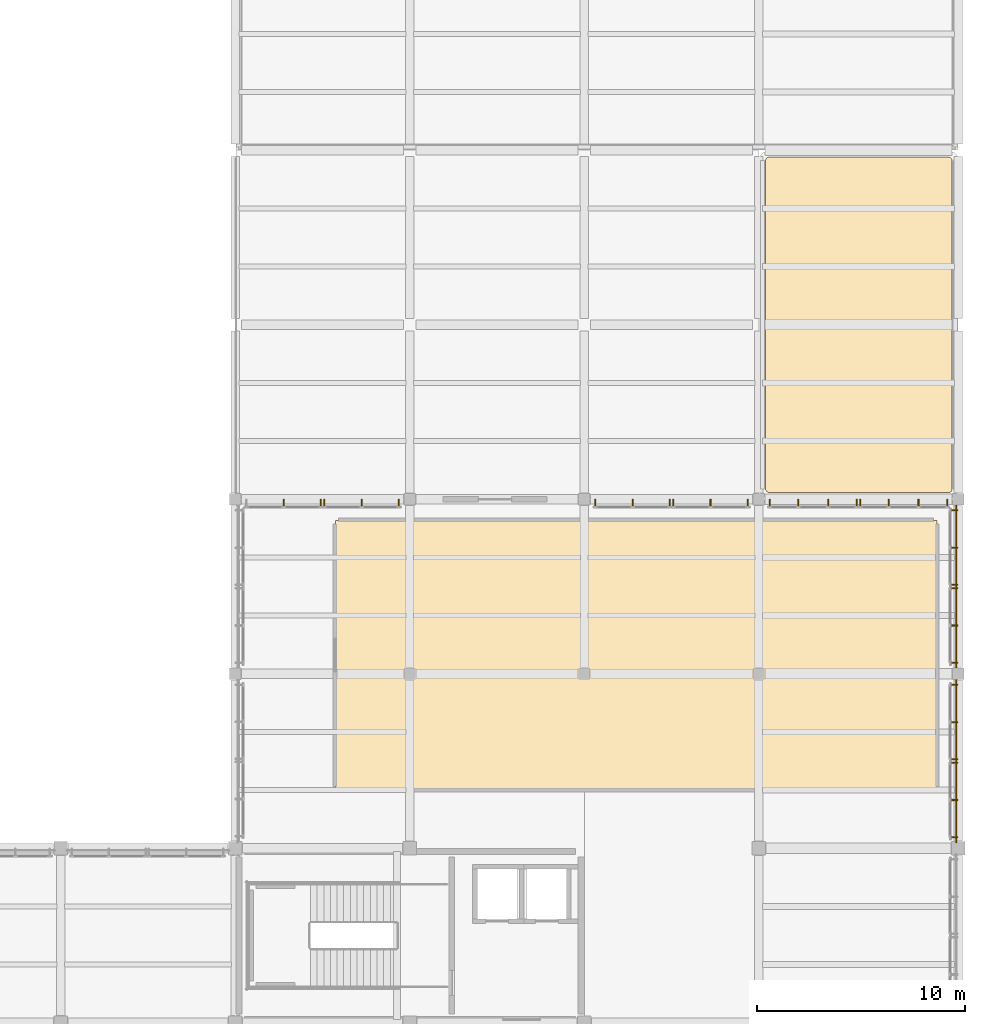
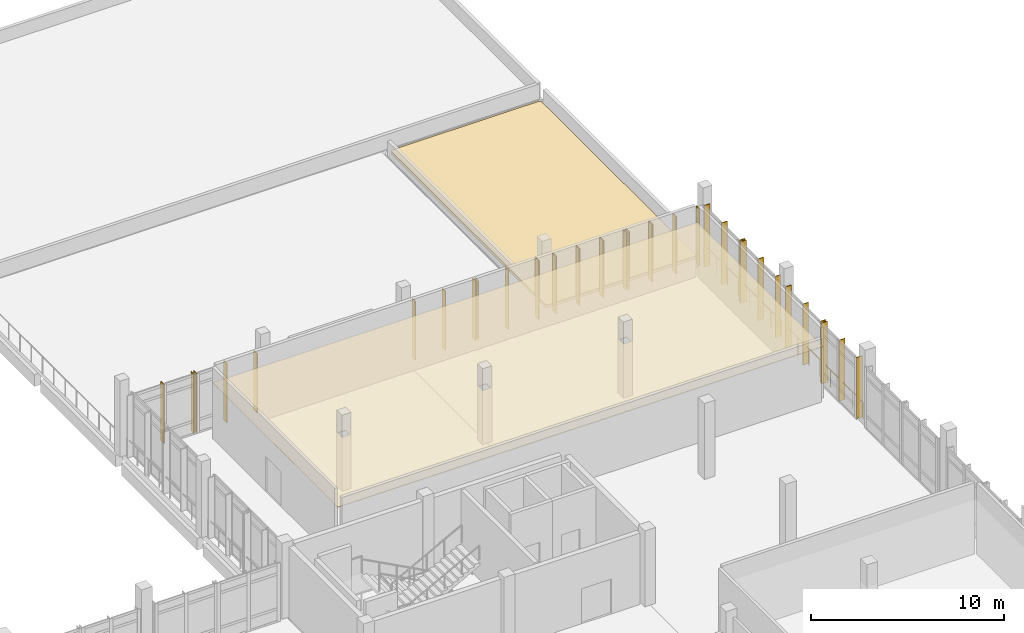
# One storey, part 62 of 63: 31 shading devices, 2 coverings, 2 railings.
"""IFC4 building model written with IfcOpenShell, lengths in metres."""

from ifc_helpers import new_model, si_unit, derived_unit, direction, frame, origin, origin_2d, place, context, subcontext, project, spatial, polyline, rectangle, circle, outline, extrude, material, layer, layer_set, type_object, element, save


model = new_model("IFC4")

# Units and contexts
model_context = context("Model", 3, precision=1e-05, world=origin(), true_north=direction((0.0, 1.0)))
body_context = subcontext(model_context, "Body", "Model", "MODEL_VIEW")
ifc_project = project(units=[si_unit("LENGTHUNIT", "METRE"), si_unit("AREAUNIT", "SQUARE_METRE"), si_unit("VOLUMEUNIT", "CUBIC_METRE"), si_unit("PLANEANGLEUNIT", "RADIAN"), si_unit("MASSUNIT", "GRAM", prefix="KILO"), derived_unit("THERMALTRANSMITTANCEUNIT", [(si_unit("POWERUNIT", "WATT"), 1), (si_unit("LENGTHUNIT", "METRE"), -2), (si_unit("THERMODYNAMICTEMPERATUREUNIT", "KELVIN"), -1)])], contexts=[model_context])

# Site, building, storey
site_placement = place(None, origin())
site = spatial("IfcSite", under=ifc_project, at=site_placement, CompositionType="ELEMENT")
building_placement = place(site_placement, origin())
building = spatial("IfcBuilding", under=site, at=building_placement, Name="Elbkamm Science Centre", CompositionType="ELEMENT")
storey_placement = place(building_placement, frame((0.0, 0.0, 5.10009765625)))
storey = spatial("IfcBuildingStorey", under=building, at=storey_placement, Name="L01", CompositionType="ELEMENT", Elevation=5.10009765625)

# Coverings
ifc_material_1 = material(Name="Perforated acoustic mineral fibre ceiling tile")
ifc_layer_1 = layer(ifc_material_1, 0.0400390625)
ifc_layer_set_1 = layer_set([ifc_layer_1], Name="Perforated acoustic mineral fibre ceiling tile")
covering_type_1 = type_object("IfcCoveringType", Name="COV-CEIL-ACOUSTIC-40", PredefinedType="CEILING", material=ifc_layer_set_1)
covering_1_placement = place(storey_placement, frame((0.0, 0.0, 3.349853515625)))
element("IfcCovering", 1, at=covering_1_placement, inside=storey, type_object=covering_type_1, Name="L01 Marine Biology Teaching Laboratory Acoustic Ceiling", PredefinedType="CEILING", context=body_context, shape_type="SweptSolid", body=[
    extrude(outline(polyline([(159.780029296875, 61.6201171875), (130.820068359375, 61.6201171875), (130.820068359375, 74.580078125), (159.780029296875, 74.580078125), (159.780029296875, 61.6201171875)]), holes=[polyline([(134.6201171875, 67.419921875), (134.179931640625, 67.419921875), (134.179931640625, 66.97998046875), (134.6201171875, 66.97998046875), (134.6201171875, 67.419921875)]), polyline([(143.02001953125, 66.97998046875), (143.02001953125, 67.419921875), (142.580078125, 67.419921875), (142.580078125, 66.97998046875), (143.02001953125, 66.97998046875)]), polyline([(151.419921875, 67.419921875), (150.97998046875, 67.419921875), (150.97998046875, 66.97998046875), (151.419921875, 66.97998046875), (151.419921875, 67.419921875)])]), origin(), (0.0, 0.0, 1.0), 0.0400390625),
])
ifc_material_2 = material(Name="EPDM waterproof roofing membrane and mineral wool insulation")
ifc_layer_2 = layer(ifc_material_2, 0.179931640625)
ifc_layer_set_2 = layer_set([ifc_layer_2], Name="EPDM waterproof roofing membrane and mineral wool insulation")
covering_type_2 = type_object("IfcCoveringType", Name="COV-ROOFING-180", PredefinedType="ROOFING", material=ifc_layer_set_2)
covering_2_placement = place(storey_placement, origin())
element("IfcCovering", 2, at=covering_2_placement, inside=storey, type_object=covering_type_2, Name="L01 Insulated Roof Membrane Covering 06", PredefinedType="ROOFING", context=body_context, shape_type="SweptSolid", body=[
    extrude(outline(polyline([(151.65087890625, 75.93310546875), (151.636962890625, 75.936767578125), (151.62255859375, 75.94189453125), (151.609375, 75.947998046875), (151.5966796875, 75.95556640625), (151.585205078125, 75.964111328125), (151.57421875, 75.97412109375), (151.564208984375, 75.985107421875), (151.5556640625, 75.996826171875), (151.548095703125, 76.00927734375), (151.5419921875, 76.022705078125), (151.53662109375, 76.036865234375), (151.533203125, 76.05078125), (151.531005859375, 76.065185546875), (151.530029296875, 76.08740234375), (151.530029296875, 91.91259765625), (151.531005859375, 91.934814453125), (151.533203125, 91.94921875), (151.53662109375, 91.963134765625), (151.5419921875, 91.977294921875), (151.548095703125, 91.99072265625), (151.5556640625, 92.003173828125), (151.564208984375, 92.014892578125), (151.57421875, 92.02587890625), (151.585205078125, 92.035888671875), (151.5966796875, 92.04443359375), (151.609375, 92.052001953125), (151.62255859375, 92.05810546875), (151.636962890625, 92.063232421875), (151.65087890625, 92.06689453125), (151.665283203125, 92.06884765625), (151.6875, 92.070068359375), (160.342529296875, 92.070068359375), (160.36474609375, 92.06884765625), (160.379150390625, 92.06689453125), (160.39306640625, 92.063232421875), (160.407470703125, 92.05810546875), (160.420654296875, 92.052001953125), (160.43310546875, 92.04443359375), (160.44482421875, 92.035888671875), (160.455810546875, 92.02587890625), (160.4658203125, 92.014892578125), (160.474365234375, 92.003173828125), (160.48193359375, 91.99072265625), (160.488037109375, 91.977294921875), (160.493408203125, 91.963134765625), (160.496826171875, 91.94921875), (160.498779296875, 91.934814453125), (160.5, 91.91259765625), (160.5, 76.08740234375), (160.498779296875, 76.065185546875), (160.496826171875, 76.05078125), (160.493408203125, 76.036865234375), (160.488037109375, 76.022705078125), (160.48193359375, 76.00927734375), (160.474365234375, 75.996826171875), (160.4658203125, 75.985107421875), (160.455810546875, 75.97412109375), (160.44482421875, 75.964111328125), (160.43310546875, 75.95556640625), (160.420654296875, 75.947998046875), (160.407470703125, 75.94189453125), (160.39306640625, 75.936767578125), (160.379150390625, 75.93310546875), (160.36474609375, 75.93115234375), (160.342529296875, 75.929931640625), (151.6875, 75.929931640625), (151.665283203125, 75.93115234375), (151.65087890625, 75.93310546875)])), origin(), (0.0, 0.0, 1.0), 0.179931640625),
])

# Railings
ifc_material_3 = material(Name="Stainless steel EN 1.4401", Category="steel")
railing_type = type_object("IfcRailingType", Name="RAIL-EXT-GUARD-1100", PredefinedType="GUARDRAIL", material=ifc_material_3)
railing_1_placement = place(storey_placement, frame((160.699951171875, 75.320068359375, 0.0)))
element("IfcRailing", 3, at=railing_1_placement, inside=storey, type_object=railing_type, Name="L01 Slab Edge Perimeter Guard 026", PredefinedType="GUARDRAIL", context=body_context, shape_type="SweptSolid", body=[
    extrude(circle(Radius=0.02392578125, at=origin_2d()), frame((0.0, 0.0, 1.078125), z_axis=(0.0, -1.0, 0.0), x_axis=(1.0, 0.0, 0.0)), (0.0, 0.0, 1.0), 7.840087890625),
    extrude(circle(Radius=0.02001953125, at=origin_2d()), origin(), (0.0, 0.0, 1.0), 1.048095703125),
    extrude(circle(Radius=0.02001953125, at=origin_2d()), frame((0.0, -1.1201171875, 0.0)), (0.0, 0.0, 1.0), 1.048095703125),
    extrude(circle(Radius=0.02001953125, at=origin_2d()), frame((0.0, -2.239990234375, 0.0)), (0.0, 0.0, 1.0), 1.048095703125),
    extrude(circle(Radius=0.02001953125, at=origin_2d()), frame((0.0, -3.360107421875, 0.0)), (0.0, 0.0, 1.0), 1.048095703125),
    extrude(circle(Radius=0.02001953125, at=origin_2d()), frame((0.0, -4.47998046875, 0.0)), (0.0, 0.0, 1.0), 1.048095703125),
    extrude(circle(Radius=0.02001953125, at=origin_2d()), frame((0.0, -5.60009765625, 0.0)), (0.0, 0.0, 1.0), 1.048095703125),
    extrude(circle(Radius=0.02001953125, at=origin_2d()), frame((0.0, -6.719970703125, 0.0)), (0.0, 0.0, 1.0), 1.048095703125),
    extrude(circle(Radius=0.02001953125, at=origin_2d()), frame((0.0, -7.840087890625, 0.0)), (0.0, 0.0, 1.0), 1.048095703125),
])
railing_2_placement = place(storey_placement, frame((160.699951171875, 66.919921875, 0.0)))
element("IfcRailing", 4, at=railing_2_placement, inside=storey, type_object=railing_type, Name="L01 Slab Edge Perimeter Guard 027", PredefinedType="GUARDRAIL", context=body_context, shape_type="SweptSolid", body=[
    extrude(circle(Radius=0.02392578125, at=origin_2d()), frame((0.0, 0.0, 1.078125), z_axis=(0.0, -1.0, 0.0), x_axis=(1.0, 0.0, 0.0)), (0.0, 0.0, 1.0), 7.83984375),
    extrude(circle(Radius=0.02001953125, at=origin_2d()), origin(), (0.0, 0.0, 1.0), 1.048095703125),
    extrude(circle(Radius=0.02001953125, at=origin_2d()), frame((0.0, -1.119873046875, 0.0)), (0.0, 0.0, 1.0), 1.048095703125),
    extrude(circle(Radius=0.02001953125, at=origin_2d()), frame((0.0, -2.239990234375, 0.0)), (0.0, 0.0, 1.0), 1.048095703125),
    extrude(circle(Radius=0.02001953125, at=origin_2d()), frame((0.0, -3.35986328125, 0.0)), (0.0, 0.0, 1.0), 1.048095703125),
    extrude(circle(Radius=0.02001953125, at=origin_2d()), frame((0.0, -4.47998046875, 0.0)), (0.0, 0.0, 1.0), 1.048095703125),
    extrude(circle(Radius=0.02001953125, at=origin_2d()), frame((0.0, -5.599853515625, 0.0)), (0.0, 0.0, 1.0), 1.048095703125),
    extrude(circle(Radius=0.02001953125, at=origin_2d()), frame((0.0, -6.719970703125, 0.0)), (0.0, 0.0, 1.0), 1.048095703125),
    extrude(circle(Radius=0.02001953125, at=origin_2d()), frame((0.0, -7.83984375, 0.0)), (0.0, 0.0, 1.0), 1.048095703125),
])

# Shading devices
ifc_material_4 = material(Name="Terracotta-ochre powder-coated aluminium EN AW-6060", Category="masonry")
shading_device_type = type_object("IfcShadingDeviceType", Name="SHD-LOUVRE-420", PredefinedType="USERDEFINED", material=ifc_material_4)
for number, where, z_axis, x_axis, name in (
    (5, (128.322998046875, 75.4150390625, 0.0), (0.0, 0.0, 1.0), (0.0, 1.0, 0.0), "L01 Brise-Soleil Sunshade Fin 0203"),
    (6, (130.125, 75.4150390625, 0.0), (0.0, 0.0, 1.0), (0.0, 1.0, 0.0), "L01 Brise-Soleil Sunshade Fin 0204"),
    (7, (130.27490234375, 75.4150390625, 0.0), (0.0, 0.0, 1.0), (0.0, 1.0, 0.0), "L01 Brise-Soleil Sunshade Fin 0205"),
    (8, (132.076904296875, 75.4150390625, 0.0), (0.0, 0.0, 1.0), (0.0, 1.0, 0.0), "L01 Brise-Soleil Sunshade Fin 0206"),
    (9, (133.878662109375, 75.4150390625, 0.0), (0.0, 0.0, 1.0), (0.0, 1.0, 0.0), "L01 Brise-Soleil Sunshade Fin 0207"),
    (10, (143.3212890625, 75.4150390625, 0.0), (0.0, 0.0, 1.0), (0.0, 1.0, 0.0), "L01 Brise-Soleil Sunshade Fin 0208"),
    (11, (145.123291015625, 75.4150390625, 0.0), (0.0, 0.0, 1.0), (0.0, 1.0, 0.0), "L01 Brise-Soleil Sunshade Fin 0209"),
    (12, (146.925048828125, 75.4150390625, 0.0), (0.0, 0.0, 1.0), (0.0, 1.0, 0.0), "L01 Brise-Soleil Sunshade Fin 0210"),
    (13, (147.074951171875, 75.4150390625, 0.0), (0.0, 0.0, 1.0), (0.0, 1.0, 0.0), "L01 Brise-Soleil Sunshade Fin 0211"),
    (14, (148.876708984375, 75.4150390625, 0.0), (0.0, 0.0, 1.0), (0.0, 1.0, 0.0), "L01 Brise-Soleil Sunshade Fin 0212"),
    (15, (150.6787109375, 75.4150390625, 0.0), (0.0, 0.0, 1.0), (0.0, 1.0, 0.0), "L01 Brise-Soleil Sunshade Fin 0213"),
):
    element("IfcShadingDevice", number, at=place(storey_placement, frame(where, z_axis=z_axis, x_axis=x_axis)), inside=storey, type_object=shading_device_type, Name=name, ObjectType="LOUVRE", PredefinedType="USERDEFINED", context=body_context, shape_type="SweptSolid", body=[
        extrude(rectangle(XDim=0.35009765625, YDim=0.050048828125, at=origin_2d()), origin(), (0.0, 0.0, 1.0), 3.72998046875),
    ])
for number, where, z_axis, x_axis, name in (
    (16, (151.72119140625, 75.4150390625, 0.0), (0.0, 0.0, 1.0), (0.0, 1.0, 0.0), "L01 Brise-Soleil Sunshade Fin 0214"),
    (17, (153.11083984375, 75.4150390625, 0.0), (0.0, 0.0, 1.0), (0.0, 1.0, 0.0), "L01 Brise-Soleil Sunshade Fin 0215"),
    (18, (154.535400390625, 75.4150390625, 0.0), (0.0, 0.0, 1.0), (0.0, 1.0, 0.0), "L01 Brise-Soleil Sunshade Fin 0216"),
    (19, (155.925048828125, 75.4150390625, 0.0), (0.0, 0.0, 1.0), (0.0, 1.0, 0.0), "L01 Brise-Soleil Sunshade Fin 0217"),
    (20, (156.074951171875, 75.4150390625, 0.0), (0.0, 0.0, 1.0), (0.0, 1.0, 0.0), "L01 Brise-Soleil Sunshade Fin 0218"),
    (21, (157.464599609375, 75.4150390625, 0.0), (0.0, 0.0, 1.0), (0.0, 1.0, 0.0), "L01 Brise-Soleil Sunshade Fin 0219"),
    (22, (158.88916015625, 75.4150390625, 0.0), (0.0, 0.0, 1.0), (0.0, 1.0, 0.0), "L01 Brise-Soleil Sunshade Fin 0220"),
    (23, (160.27880859375, 75.4150390625, 0.0), (0.0, 0.0, 1.0), (0.0, 1.0, 0.0), "L01 Brise-Soleil Sunshade Fin 0221"),
):
    element("IfcShadingDevice", number, at=place(storey_placement, frame(where, z_axis=z_axis, x_axis=x_axis)), inside=storey, type_object=shading_device_type, Name=name, ObjectType="LOUVRE", PredefinedType="USERDEFINED", context=body_context, shape_type="SweptSolid", body=[
        extrude(rectangle(XDim=0.35009765625, YDim=0.050048828125, at=origin_2d()), origin(), (0.0, 0.0, 1.0), 3.6298828125),
    ])
for number, where, z_axis, x_axis, name in (
    (24, (160.614990234375, 75.07861328125, 0.0), (0.0, 0.0, 1.0), (1.0, 0.0, 0.0), "L01 Brise-Soleil Sunshade Fin 0222"),
    (25, (160.614990234375, 73.27685546875, 0.0), (0.0, 0.0, 1.0), (1.0, 0.0, 0.0), "L01 Brise-Soleil Sunshade Fin 0223"),
    (26, (160.614990234375, 71.47509765625, 0.0), (0.0, 0.0, 1.0), (1.0, 0.0, 0.0), "L01 Brise-Soleil Sunshade Fin 0224"),
    (27, (160.614990234375, 71.324951171875, 0.0), (0.0, 0.0, 1.0), (1.0, 0.0, 0.0), "L01 Brise-Soleil Sunshade Fin 0225"),
    (28, (160.614990234375, 69.523193359375, 0.0), (0.0, 0.0, 1.0), (1.0, 0.0, 0.0), "L01 Brise-Soleil Sunshade Fin 0226"),
    (29, (160.614990234375, 67.72119140625, 0.0), (0.0, 0.0, 1.0), (1.0, 0.0, 0.0), "L01 Brise-Soleil Sunshade Fin 0227"),
):
    element("IfcShadingDevice", number, at=place(storey_placement, frame(where, z_axis=z_axis, x_axis=x_axis)), inside=storey, type_object=shading_device_type, Name=name, ObjectType="LOUVRE", PredefinedType="USERDEFINED", context=body_context, shape_type="SweptSolid", body=[
        extrude(rectangle(XDim=0.35009765625, YDim=0.050048828125, at=origin_2d()), origin(), (0.0, 0.0, 1.0), 3.8798828125),
    ])
for number, where, z_axis, x_axis, name in (
    (30, (160.614990234375, 66.6787109375, -0.000244140625), (0.0, 0.0, 1.0), (1.0, 0.0, 0.0), "L01 Brise-Soleil Sunshade Fin 0228"),
    (31, (160.614990234375, 64.876953125, -0.000244140625), (0.0, 0.0, 1.0), (1.0, 0.0, 0.0), "L01 Brise-Soleil Sunshade Fin 0229"),
    (32, (160.614990234375, 63.074951171875, -0.000244140625), (0.0, 0.0, 1.0), (1.0, 0.0, 0.0), "L01 Brise-Soleil Sunshade Fin 0230"),
    (33, (160.614990234375, 62.925048828125, -0.000244140625), (0.0, 0.0, 1.0), (1.0, 0.0, 0.0), "L01 Brise-Soleil Sunshade Fin 0231"),
    (34, (160.614990234375, 61.123046875, -0.000244140625), (0.0, 0.0, 1.0), (1.0, 0.0, 0.0), "L01 Brise-Soleil Sunshade Fin 0232"),
    (35, (160.614990234375, 59.3212890625, -0.000244140625), (0.0, 0.0, 1.0), (1.0, 0.0, 0.0), "L01 Brise-Soleil Sunshade Fin 0233"),
):
    element("IfcShadingDevice", number, at=place(storey_placement, frame(where, z_axis=z_axis, x_axis=x_axis)), inside=storey, type_object=shading_device_type, Name=name, ObjectType="LOUVRE", PredefinedType="USERDEFINED", context=body_context, shape_type="SweptSolid", body=[
        extrude(rectangle(XDim=0.35009765625, YDim=0.050048828125, at=origin_2d()), origin(), (0.0, 0.0, 1.0), 3.85009765625),
    ])

save(model, "model.ifc")
